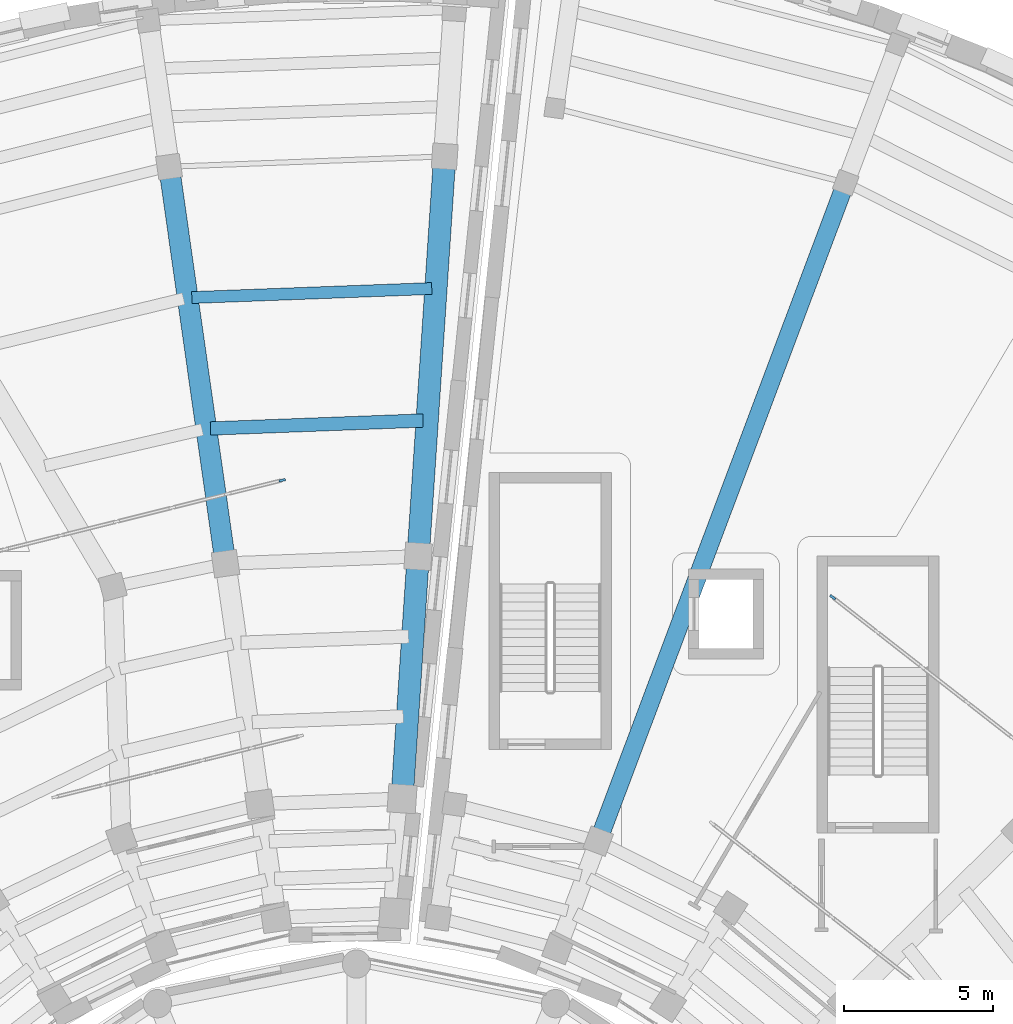
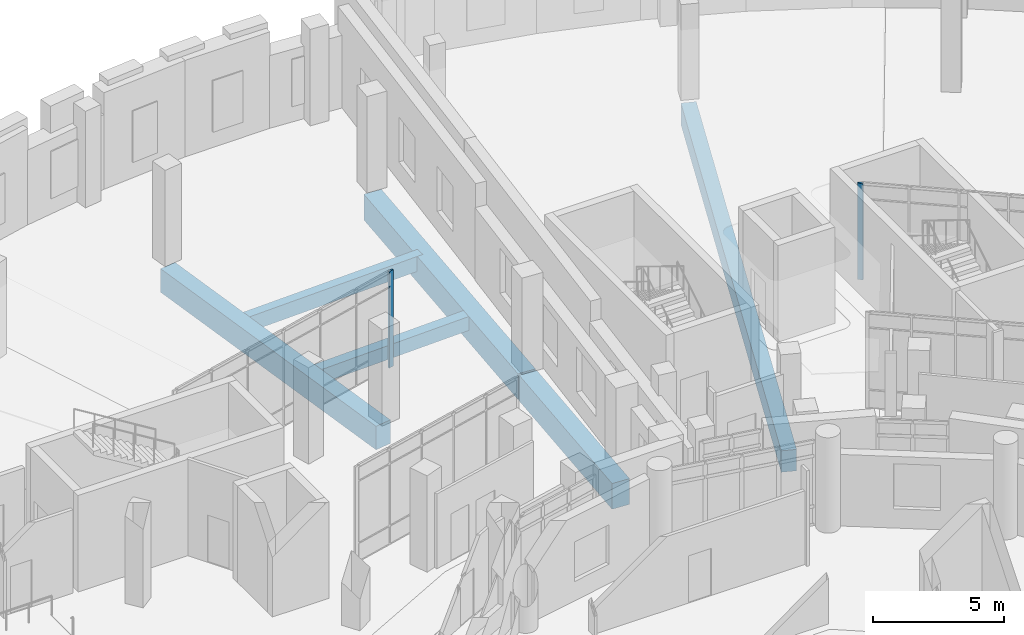
# One storey, part 33 of 89: 6 beams, 2 members, 2 elements without a shape of their own.
"""IFC4 building model written with IfcOpenShell, lengths in metres."""

from ifc_helpers import new_model, si_unit, direction, frame, origin, origin_2d, place, context, subcontext, project, spatial, rectangle, extrude, material, material_profile, profile_set, type_object, element, aggregate, save


model = new_model("IFC4")

# Units and contexts
model_context = context("Model", 3, precision=1e-05, world=origin(), true_north=direction((0.0, 1.0)))
body_context = subcontext(model_context, "Body", "Model", "MODEL_VIEW")
ifc_project = project(units=[si_unit("LENGTHUNIT", "METRE"), si_unit("AREAUNIT", "SQUARE_METRE"), si_unit("VOLUMEUNIT", "CUBIC_METRE"), si_unit("PLANEANGLEUNIT", "RADIAN"), si_unit("MASSUNIT", "GRAM", prefix="KILO")], contexts=[model_context])

# Site, building, storey
site_placement = place(None, origin())
site = spatial("IfcSite", under=ifc_project, at=site_placement, CompositionType="ELEMENT")
building_placement = place(site_placement, origin())
building = spatial("IfcBuilding", under=site, at=building_placement, Name="Soyqirgoq Riverine Aquarium", CompositionType="ELEMENT")
storey_placement = place(building_placement, frame((0.0, 0.0, 5.39990234375)))
storey = spatial("IfcBuildingStorey", under=building, at=storey_placement, Name="L02", CompositionType="ELEMENT", Elevation=5.39990234375)

# Beams
ifc_material_1 = material(Name="Concrete C40/50", Category="concrete")
ifc_material_profile_1 = material_profile(ifc_material_1, rectangle(XDim=0.39990234375, YDim=0.699951171875, at=origin_2d()), Name="RC 400x700")
ifc_profile_set_1 = profile_set([ifc_material_profile_1], Name="Concrete C40/50")
beam_type_1 = type_object("IfcBeamType", Name="Beam_RC_400x700", PredefinedType="BEAM", material=ifc_profile_set_1)
beam_1_placement = place(storey_placement, frame((58.52490234375, 97.117919921875, -0.64990234375), z_axis=(-0.999296026099, -0.03751602621, 0.0), x_axis=(0.03751602621, -0.999296026099, 0.0)))
element("IfcBeam", 1, at=beam_1_placement, inside=storey, type_object=beam_type_1, Name="V4 L02 Secondary Floor Joist 0584", PredefinedType="BEAM", context=body_context, shape_type="SweptSolid", body=[
    extrude(rectangle(XDim=0.39990234375, YDim=0.699951171875, at=origin_2d()), origin(), (0.0, 0.0, 1.0), 8.056396484375),
])
ifc_material_2 = material(Name="Concrete C40/50", Category="concrete")
ifc_material_profile_2 = material_profile(ifc_material_2, rectangle(XDim=0.449951171875, YDim=0.64990234375, at=origin_2d()), Name="RC 450x650")
ifc_profile_set_2 = profile_set([ifc_material_profile_2], Name="Concrete C40/50")
beam_type_2 = type_object("IfcBeamType", Name="Beam_RC_450x650", PredefinedType="BEAM", material=ifc_profile_set_2)
beam_2_placement = place(storey_placement, frame((58.23095703125, 92.689208984375, -0.625), z_axis=(-0.999295532378, -0.037529174906, 0.0), x_axis=(0.037529174906, -0.999295532378, 0.0)))
element("IfcBeam", 2, at=beam_2_placement, inside=storey, type_object=beam_type_2, Name="V4 L02 Secondary Floor Joist 0583", PredefinedType="BEAM", context=body_context, shape_type="SweptSolid", body=[
    extrude(rectangle(XDim=0.449951171875, YDim=0.64990234375, at=origin_2d()), origin(), (0.0, 0.0, 1.0), 7.136474609375),
])

# Curtain wall, member
ifc_material_3 = material(Name="Cast polymethyl methacrylate PMMA Habitat Viewing Glazing", Category="glass")
curtain_wall_type = type_object("IfcCurtainWallType", Name="CW_Interior_TankVitrine", PredefinedType="NOTDEFINED", material=ifc_material_3)
curtain_wall_1_placement = place(storey_placement, origin())
curtain_wall_1 = element("IfcCurtainWall", 3, at=curtain_wall_1_placement, inside=storey, type_object=curtain_wall_type, Name="V4 L02 Curtain Wall 154", PredefinedType="NOTDEFINED")
ifc_material_4 = material(Name="Anodised aluminium 6063-T6", Category="aluminium")
ifc_material_profile_3 = material_profile(ifc_material_4, rectangle(XDim=0.080078125, YDim=0.219970703125, at=origin_2d()), Name="ALU-M 80x220")
ifc_profile_set_3 = profile_set([ifc_material_profile_3], Name="Anodised aluminium 6063-T6")
member_type = type_object("IfcMemberType", Name="CWMullion_80x220", PredefinedType="MULLION", material=ifc_profile_set_3)
member_1_placement = place(storey_placement, frame((53.50634765625, 90.683837890625, 0.0), z_axis=(0.0, 0.0, 1.0), x_axis=(0.241925862079, -0.970294737313, 0.0)))
member_1 = element("IfcMember", 4, at=member_1_placement, type_object=member_type, Name="CW-07 mullion 1", PredefinedType="MULLION", context=body_context, shape_type="SweptSolid", body=[
    extrude(rectangle(XDim=0.080078125, YDim=0.219970703125, at=origin_2d()), origin(), (0.0, 0.0, 1.0), 4.5),
])
aggregate(curtain_wall_1, [member_1])

curtain_wall_2_placement = place(storey_placement, origin())
curtain_wall_2 = element("IfcCurtainWall", 5, at=curtain_wall_2_placement, inside=storey, type_object=curtain_wall_type, Name="V5 L02 Curtain Wall 160", PredefinedType="NOTDEFINED")
member_2_placement = place(storey_placement, frame((71.978515625, 86.75732421875, 0.0), z_axis=(0.0, 0.0, 1.0), x_axis=(-0.615655141832, -0.788015701833, 0.0)))
member_2 = element("IfcMember", 6, at=member_2_placement, type_object=member_type, Name="CW-07 mullion 7", PredefinedType="MULLION", context=body_context, shape_type="SweptSolid", body=[
    extrude(rectangle(XDim=0.080078125, YDim=0.219970703125, at=origin_2d()), origin(), (0.0, 0.0, 1.0), 4.5),
])
aggregate(curtain_wall_2, [member_2])

# Beams
ifc_material_5 = material(Name="Concrete C40/50", Category="concrete")
ifc_material_profile_4 = material_profile(ifc_material_5, rectangle(XDim=0.60009765625, YDim=1.0, at=origin_2d()), Name="RC 600x1000")
ifc_profile_set_4 = profile_set([ifc_material_profile_4], Name="Concrete C40/50")
beam_type_3 = type_object("IfcBeamType", Name="Girder_RC_600x1000", PredefinedType="BEAM", material=ifc_profile_set_4)
beam_3_placement = place(storey_placement, frame((64.12744140625, 78.623046875, -0.7998046875), z_axis=(0.351844020592, 0.936058644089, 0.0), x_axis=(-0.936058644089, 0.351844020592, 0.0)))
element("IfcBeam", 7, at=beam_3_placement, inside=storey, type_object=beam_type_3, Name="V5 L02 Wedge Radial Girder 0809", PredefinedType="BEAM", context=body_context, shape_type="SweptSolid", body=[
    extrude(rectangle(XDim=0.60009765625, YDim=1.0, at=origin_2d()), origin(), (0.0, 0.0, 1.0), 23.5),
])
ifc_material_6 = material(Name="Concrete C40/50", Category="concrete")
ifc_material_profile_5 = material_profile(ifc_material_6, rectangle(XDim=0.699951171875, YDim=1.10009765625, at=origin_2d()), Name="RC 700x1100")
ifc_profile_set_5 = profile_set([ifc_material_profile_5], Name="Concrete C40/50")
beam_type_4 = type_object("IfcBeamType", Name="Girder_RC_700x1100", PredefinedType="BEAM", material=ifc_profile_set_5)
beam_4_placement = place(storey_placement, frame((51.596923828125, 87.938232421875, -0.849853515625), z_axis=(-0.140906721277, 0.990022876452, 0.0), x_axis=(-0.990022876452, -0.140906721277, 0.0)))
element("IfcBeam", 8, at=beam_4_placement, inside=storey, type_object=beam_type_4, Name="V4 L02 Wedge Radial Girder 0542", PredefinedType="BEAM", context=body_context, shape_type="SweptSolid", body=[
    extrude(rectangle(XDim=0.699951171875, YDim=1.10009765625, at=origin_2d()), origin(), (0.0, 0.0, 1.0), 13.35009765625),
])
ifc_material_7 = material(Name="Concrete C40/50", Category="concrete")
ifc_material_profile_6 = material_profile(ifc_material_7, rectangle(XDim=0.75, YDim=1.199951171875, at=origin_2d()), Name="RC 750x1200")
ifc_profile_set_6 = profile_set([ifc_material_profile_6], Name="Concrete C40/50")
beam_type_5 = type_object("IfcBeamType", Name="Girder_RC_750x1200", PredefinedType="BEAM", material=ifc_profile_set_6)
beam_5_placement = place(storey_placement, frame((57.531005859375, 80.04931640625, -0.89990234375), z_axis=(0.066267390666, 0.997801900647, 0.0), x_axis=(-0.997801900647, 0.066267390666, 0.0)))
element("IfcBeam", 9, at=beam_5_placement, inside=storey, type_object=beam_type_5, Name="V4 L02 Wedge Radial Girder 0537", PredefinedType="BEAM", context=body_context, shape_type="SweptSolid", body=[
    extrude(rectangle(XDim=0.75, YDim=1.199951171875, at=origin_2d()), origin(), (0.0, 0.0, 1.0), 8.0498046875),
])
beam_6_placement = place(storey_placement, frame((58.071044921875, 88.181396484375, -0.89990234375), z_axis=(0.066275036156, 0.997801392855, 0.0), x_axis=(-0.997801392855, 0.066275036156, 0.0)))
element("IfcBeam", 10, at=beam_6_placement, inside=storey, type_object=beam_type_5, Name="V4 L02 Wedge Radial Girder 0538", PredefinedType="BEAM", context=body_context, shape_type="SweptSolid", body=[
    extrude(rectangle(XDim=0.75, YDim=1.199951171875, at=origin_2d()), origin(), (0.0, 0.0, 1.0), 13.349853515625),
])

save(model, "model.ifc")
